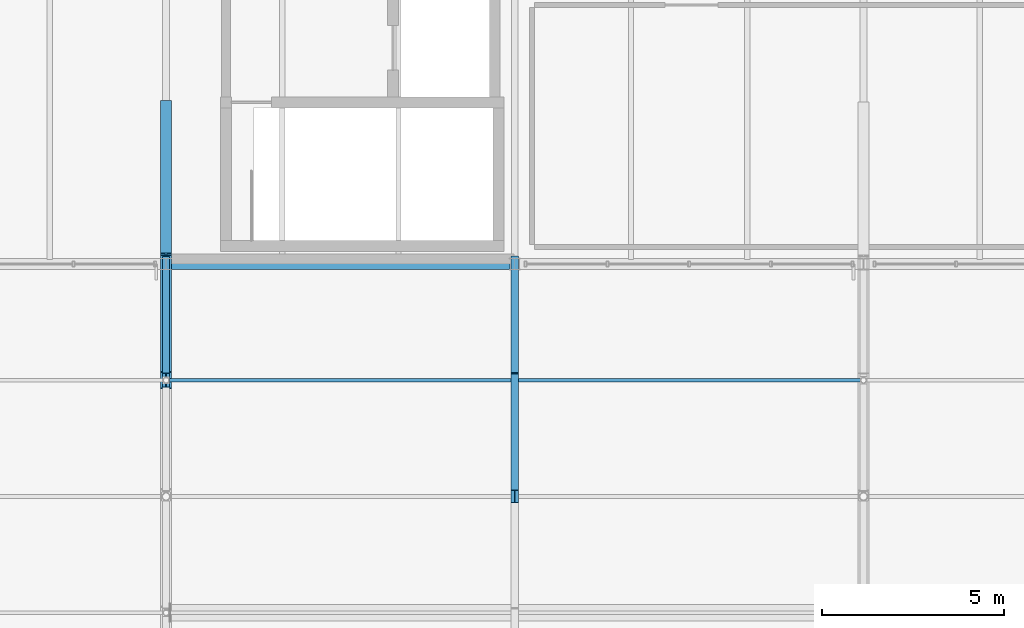
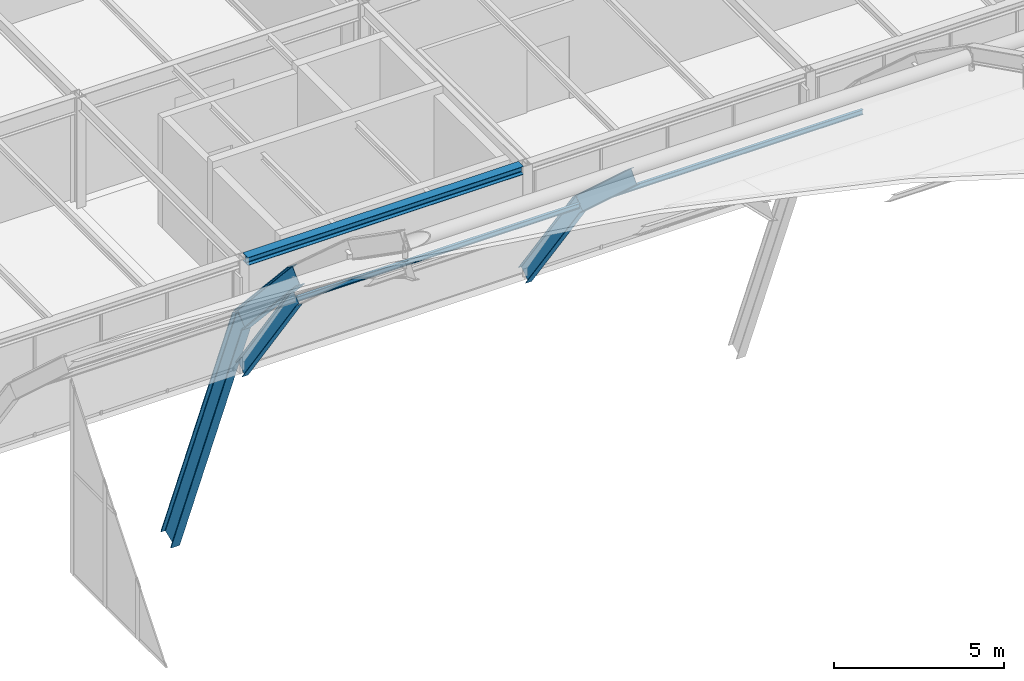
# One storey, part 69 of 126: 6 beams, 2 members.
"""IFC4 building model written with IfcOpenShell, lengths in metres."""

from ifc_helpers import new_model, si_unit, direction, frame, origin, origin_2d, place, context, subcontext, project, spatial, i_section, extrude, material, material_profile, profile_set, type_object, element, save


model = new_model("IFC4")

# Units and contexts
model_context = context("Model", 3, precision=1e-05, world=origin(), true_north=direction((0.0, 1.0)))
body_context = subcontext(model_context, "Body", "Model", "MODEL_VIEW")
ifc_project = project(units=[si_unit("LENGTHUNIT", "METRE"), si_unit("AREAUNIT", "SQUARE_METRE"), si_unit("VOLUMEUNIT", "CUBIC_METRE"), si_unit("PLANEANGLEUNIT", "RADIAN"), si_unit("MASSUNIT", "GRAM", prefix="KILO")], contexts=[model_context])

# Site, building, storey
site_placement = place(None, origin())
site = spatial("IfcSite", under=ifc_project, at=site_placement, CompositionType="ELEMENT")
building_placement = place(site_placement, origin())
building = spatial("IfcBuilding", under=site, at=building_placement, Name="Coralgate Yard Interchange", CompositionType="ELEMENT")
storey_placement = place(building_placement, frame((0.0, 0.0, 10.5)))
storey = spatial("IfcBuildingStorey", under=building, at=storey_placement, Name="L02", CompositionType="ELEMENT", Elevation=10.5)

# Beams
ifc_material_1 = material(Name="Yellow-ochre weather-coated structural steel S355J2", Category="steel")
ifc_material_profile_1 = material_profile(ifc_material_1, i_section(OverallWidth=0.300048828125, OverallDepth=0.64990234375, WebThickness=0.01611328125, FlangeThickness=0.031005859375, FilletRadius=0.027099609375, at=origin_2d()), Name="HEB 650")
ifc_profile_set_1 = profile_set([ifc_material_profile_1], Name="Yellow-ochre weather-coated structural steel S355J2")
beam_type_1 = type_object("IfcBeamType", Name="BM-AR-1", PredefinedType="BEAM", material=ifc_profile_set_1)
beam_1_placement = place(storey_placement, frame((48.0, 73.60009765625, 5.2138671875), z_axis=(0.0, 0.673304095466, -0.739365670713), x_axis=(-1.0, 0.0, 0.0)))
element("IfcBeam", 1, at=beam_1_placement, inside=storey, type_object=beam_type_1, Name="Yellow-ochre overarching steel arch AR-1 chord 13", PredefinedType="BEAM", context=body_context, shape_type="SweptSolid", body=[
    extrude(i_section(OverallWidth=0.300048828125, OverallDepth=0.64990234375, WebThickness=0.01611328125, FlangeThickness=0.031005859375, FilletRadius=0.027099609375, at=origin_2d()), origin(), (0.0, 0.0, 1.0), 4.752685546875),
])
beam_2_placement = place(storey_placement, frame((48.0, 76.800048828125, 1.699951171875), z_axis=(0.0, 0.374462329793, -0.927242127799), x_axis=(-1.0, 0.0, 0.0)))
element("IfcBeam", 2, at=beam_2_placement, inside=storey, type_object=beam_type_1, Name="Yellow-ochre overarching steel arch AR-1 chord 14", PredefinedType="BEAM", context=body_context, shape_type="SweptSolid", body=[
    extrude(i_section(OverallWidth=0.300048828125, OverallDepth=0.64990234375, WebThickness=0.01611328125, FlangeThickness=0.031005859375, FilletRadius=0.027099609375, at=origin_2d()), origin(), (0.0, 0.0, 1.0), 11.216064453125),
])
ifc_material_2 = material(Name="Structural steel S355J2", Category="steel")
ifc_material_profile_2 = material_profile(ifc_material_2, i_section(OverallWidth=0.300048828125, OverallDepth=0.2900390625, WebThickness=0.008544921875, FlangeThickness=0.013916015625, FilletRadius=0.027099609375, at=origin_2d()), Name="HEA 300")
ifc_profile_set_2 = profile_set([ifc_material_profile_2], Name="Structural steel S355J2")
beam_type_2 = type_object("IfcBeamType", Name="BM-SP-2", PredefinedType="SPANDREL", material=ifc_profile_set_2)
beam_3_placement = place(storey_placement, frame((48.127197265625, 76.800048828125, 3.804931640625), z_axis=(1.0, 0.0, 0.0), x_axis=(0.0, 1.0, 0.0)))
element("IfcBeam", 3, at=beam_3_placement, inside=storey, type_object=beam_type_2, Name="L02 primary grid beam Y8 X5-6", PredefinedType="SPANDREL", context=body_context, shape_type="SweptSolid", body=[
    extrude(i_section(OverallWidth=0.300048828125, OverallDepth=0.2900390625, WebThickness=0.008544921875, FlangeThickness=0.013916015625, FilletRadius=0.027099609375, at=origin_2d()), origin(), (0.0, 0.0, 1.0), 9.345458984375),
])
ifc_material_3 = material(Name="Weather-coated structural steel S355J2", Category="steel")
ifc_material_profile_3 = material_profile(ifc_material_3, i_section(OverallWidth=0.209228515625, OverallDepth=0.533203125, WebThickness=0.010009765625, FlangeThickness=0.015625, FilletRadius=0.0126953125, at=origin_2d()), Name="UB 533x210x92")
ifc_profile_set_3 = profile_set([ifc_material_profile_3], Name="Weather-coated structural steel S355J2")
beam_type_3 = type_object("IfcBeamType", Name="BM-VR-1", PredefinedType="BEAM", material=ifc_profile_set_3)
beam_4_placement = place(storey_placement, frame((57.60009765625, 70.39990234375, 7.332763671875), z_axis=(0.0, 0.739500841068, -0.673155632867), x_axis=(-1.0, 0.0, 0.0)))
element("IfcBeam", 4, at=beam_4_placement, inside=storey, type_object=beam_type_3, Name="Barrel-vault gridshell rib 3 seg 11", PredefinedType="BEAM", context=body_context, shape_type="SweptSolid", body=[
    extrude(i_section(OverallWidth=0.209228515625, OverallDepth=0.533203125, WebThickness=0.010009765625, FlangeThickness=0.015625, FilletRadius=0.0126953125, at=origin_2d()), origin(), (0.0, 0.0, 1.0), 4.327392578125),
])
beam_5_placement = place(storey_placement, frame((57.60009765625, 73.60009765625, 4.419677734375), z_axis=(0.0, 0.581821714705, -0.813316354377), x_axis=(-1.0, 0.0, 0.0)))
element("IfcBeam", 5, at=beam_5_placement, inside=storey, type_object=beam_type_3, Name="Barrel-vault gridshell rib 3 seg 12", PredefinedType="BEAM", context=body_context, shape_type="SweptSolid", body=[
    extrude(i_section(OverallWidth=0.209228515625, OverallDepth=0.533203125, WebThickness=0.010009765625, FlangeThickness=0.015625, FilletRadius=0.0126953125, at=origin_2d()), origin(), (0.0, 0.0, 1.0), 5.5),
])
ifc_material_profile_4 = material_profile(ifc_material_3, i_section(OverallWidth=0.199951171875, OverallDepth=0.5, WebThickness=0.01025390625, FlangeThickness=0.01611328125, FilletRadius=0.02099609375, at=origin_2d()), Name="IPE 500")
ifc_profile_set_4 = profile_set([ifc_material_profile_4], Name="Weather-coated structural steel S355J2")
beam_type_4 = type_object("IfcBeamType", Name="BM-VR-2", PredefinedType="BEAM", material=ifc_profile_set_4)
beam_6_placement = place(storey_placement, frame((48.0, 73.60009765625, 4.436279296875), z_axis=(0.0, 0.578975368299, -0.81534503304), x_axis=(-1.0, 0.0, 0.0)))
element("IfcBeam", 6, at=beam_6_placement, inside=storey, type_object=beam_type_4, Name="Barrel-vault gridshell rib 2 seg 12", PredefinedType="BEAM", context=body_context, shape_type="SweptSolid", body=[
    extrude(i_section(OverallWidth=0.199951171875, OverallDepth=0.5, WebThickness=0.01025390625, FlangeThickness=0.01611328125, FilletRadius=0.02099609375, at=origin_2d()), origin(), (0.0, 0.0, 1.0), 5.52685546875),
])

# Members
ifc_material_4 = material(Name="Off-white architectural structural steel S355J2", Category="steel")
ifc_material_profile_5 = material_profile(ifc_material_4, i_section(OverallWidth=0.091064453125, OverallDepth=0.179931640625, WebThickness=0.00537109375, FlangeThickness=0.008056640625, FilletRadius=0.009033203125, at=origin_2d()), Name="IPE 180")
ifc_profile_set_5 = profile_set([ifc_material_profile_5], Name="Off-white architectural structural steel S355J2")
member_type = type_object("IfcMemberType", Name="MB-PR-2", PredefinedType="PURLIN", material=ifc_profile_set_5)
for number, where, z_axis, x_axis, name in (
    (7, (48.001953125, 73.60009765625, 4.3662109375), (1.0, 0.0, 0.0), (0.0, 1.0, 0.0), "Barrel-vault gridshell purlin 2-12"),
    (8, (57.60205078125, 73.60009765625, 4.3662109375), (1.0, 0.0, 0.0), (0.0, 1.0, 0.0), "Barrel-vault gridshell purlin 3-12"),
):
    element("IfcMember", number, at=place(storey_placement, frame(where, z_axis=z_axis, x_axis=x_axis)), inside=storey, type_object=member_type, Name=name, PredefinedType="PURLIN", context=body_context, shape_type="SweptSolid", body=[
        extrude(i_section(OverallWidth=0.091064453125, OverallDepth=0.179931640625, WebThickness=0.00537109375, FlangeThickness=0.008056640625, FilletRadius=0.009033203125, at=origin_2d()), origin(), (0.0, 0.0, 1.0), 9.595947265625),
    ])

save(model, "model.ifc")
